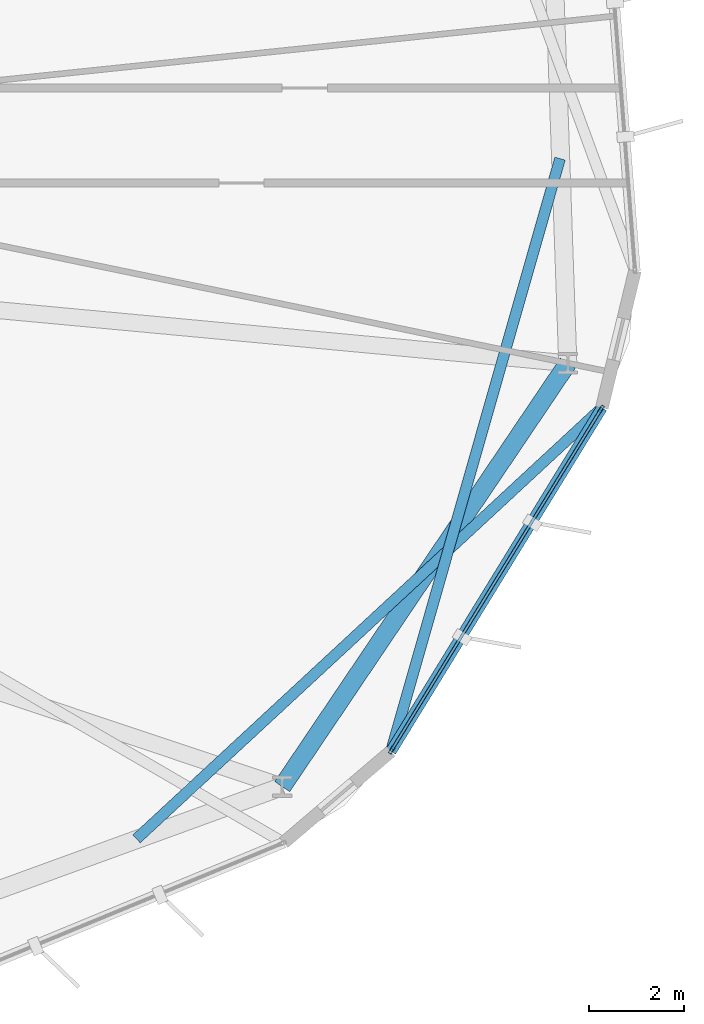
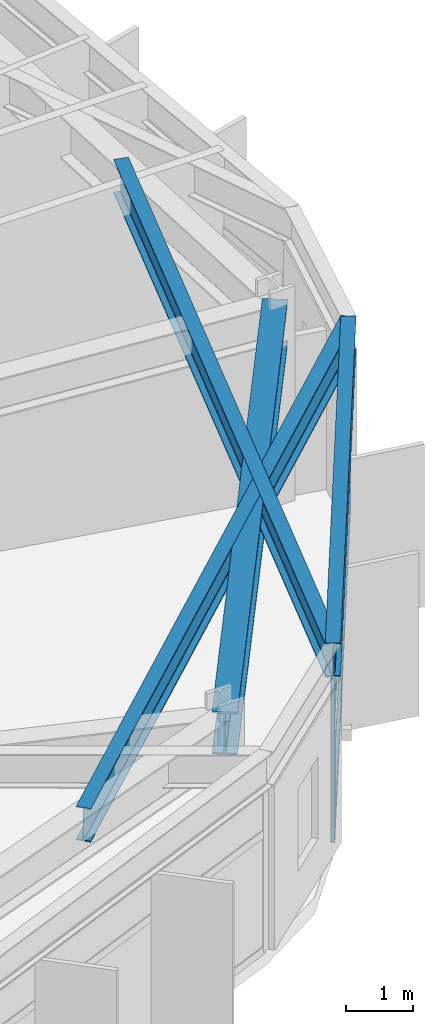
# One storey, part 9 of 21: 5 members, 4 beams, 1 element without a shape of its own.
"""IFC4 building model written with IfcOpenShell, lengths in metres."""

from ifc_helpers import new_model, si_unit, direction, frame, origin, origin_2d, place, context, subcontext, project, spatial, hollow_rectangle, i_section, extrude, material, layer, layer_set, material_profile, profile_set, type_object, element, aggregate, save


model = new_model("IFC4")

# Units and contexts
model_context = context("Model", 3, precision=1e-05, world=origin(), true_north=direction((0.0, 1.0)))
body_context = subcontext(model_context, "Body", "Model", "MODEL_VIEW")
ifc_project = project(units=[si_unit("LENGTHUNIT", "METRE"), si_unit("AREAUNIT", "SQUARE_METRE"), si_unit("VOLUMEUNIT", "CUBIC_METRE"), si_unit("PLANEANGLEUNIT", "RADIAN"), si_unit("MASSUNIT", "GRAM", prefix="KILO")], contexts=[model_context])

# Site, building, storey
site_placement = place(None, origin())
site = spatial("IfcSite", under=ifc_project, at=site_placement, CompositionType="ELEMENT")
building_placement = place(site_placement, origin())
building = spatial("IfcBuilding", under=site, at=building_placement, Name="Soratama Intermodal Tower", CompositionType="ELEMENT")
storey_placement = place(building_placement, frame((0.0, 0.0, 114.699951171875)))
storey = spatial("IfcBuildingStorey", under=building, at=storey_placement, Name="L27", CompositionType="ELEMENT", Elevation=114.699951171875)

# Beams
ifc_material_1 = material(Name="Structural steel ASTM A992 Grade 50", Category="steel")
ifc_material_profile_1 = material_profile(ifc_material_1, i_section(OverallWidth=0.382080078125, OverallDepth=0.779052734375, WebThickness=0.01806640625, FlangeThickness=0.030029296875, FilletRadius=0.01806640625, at=origin_2d()), Name="W30X191")
ifc_profile_set_1 = profile_set([ifc_material_profile_1], Name="Structural steel ASTM A992 Grade 50")
beam_type_1 = type_object("IfcBeamType", Name="BM-RING-W30X191", PredefinedType="BEAM", material=ifc_profile_set_1)
beam_1_placement = place(storey_placement, frame((55.7119140625, 11.2890625, 3.21044921875), z_axis=(0.559249807749, 0.828999187293, 0.0), x_axis=(-0.828999187293, 0.559249807749, 0.0)))
element("IfcBeam", 1, at=beam_1_placement, inside=storey, type_object=beam_type_1, Name="BM-L27-RING-09", PredefinedType="BEAM", context=body_context, shape_type="SweptSolid", body=[
    extrude(i_section(OverallWidth=0.382080078125, OverallDepth=0.779052734375, WebThickness=0.01806640625, FlangeThickness=0.030029296875, FilletRadius=0.01806640625, at=origin_2d()), origin(), (0.0, 0.0, 1.0), 10.75390625),
])
ifc_material_2 = material(Name="Structural steel ASTM A992 Grade 50", Category="steel")
ifc_material_profile_2 = material_profile(ifc_material_2, i_section(OverallWidth=0.22900390625, OverallDepth=0.612060546875, WebThickness=0.011962890625, FlangeThickness=0.01953125, FilletRadius=0.012939453125, at=origin_2d()), Name="W24X84")
ifc_profile_set_2 = profile_set([ifc_material_profile_2], Name="Structural steel ASTM A992 Grade 50")
beam_type_2 = type_object("IfcBeamType", Name="BM-SPN-W24X84", PredefinedType="SPANDREL", material=ifc_profile_set_2)
beam_2_placement = place(storey_placement, frame((58.001953125, 12.031982421875, 3.2939453125), z_axis=(0.523389774417, 0.852093389269, 0.0), x_axis=(-0.852093389269, 0.523389774417, 0.0)))
element("IfcBeam", 2, at=beam_2_placement, inside=storey, type_object=beam_type_2, Name="BS-L27-F09", PredefinedType="SPANDREL", context=body_context, shape_type="SweptSolid", body=[
    extrude(i_section(OverallWidth=0.22900390625, OverallDepth=0.612060546875, WebThickness=0.011962890625, FlangeThickness=0.01953125, FilletRadius=0.012939453125, at=origin_2d()), origin(), (0.0, 0.0, 1.0), 8.490966796875),
])
ifc_material_3 = material(Name="Structural steel ASTM A992 Grade 50", Category="steel")
ifc_material_profile_3 = material_profile(ifc_material_3, i_section(OverallWidth=0.22900390625, OverallDepth=0.612060546875, WebThickness=0.011962890625, FlangeThickness=0.01953125, FilletRadius=0.012939453125, at=origin_2d()), Name="W24X84")
ifc_profile_set_3 = profile_set([ifc_material_profile_3], Name="Structural steel ASTM A992 Grade 50")
beam_type_3 = type_object("IfcBeamType", Name="BM-TIE-W24X84", PredefinedType="BEAM", material=ifc_profile_set_3)
beam_3_placement = place(storey_placement, frame((61.56298828125, 24.512939453125, 3.2939453125), z_axis=(-0.274368325895, -0.961624678212, 0.0), x_axis=(0.961624678212, -0.274368325895, 0.0)))
element("IfcBeam", 3, at=beam_3_placement, inside=storey, type_object=beam_type_3, Name="BM-L27-TIE0-09", PredefinedType="BEAM", context=body_context, shape_type="SweptSolid", body=[
    extrude(i_section(OverallWidth=0.22900390625, OverallDepth=0.612060546875, WebThickness=0.011962890625, FlangeThickness=0.01953125, FilletRadius=0.012939453125, at=origin_2d()), origin(), (0.0, 0.0, 1.0), 12.97900390625),
])
beam_4_placement = place(storey_placement, frame((52.64501953125, 10.18798828125, 3.2939453125), z_axis=(0.733608485008, 0.679572358711, 0.0), x_axis=(-0.679572358711, 0.733608485008, 0.0)))
element("IfcBeam", 4, at=beam_4_placement, inside=storey, type_object=beam_type_3, Name="BM-L27-TIE1-09", PredefinedType="BEAM", context=body_context, shape_type="SweptSolid", body=[
    extrude(i_section(OverallWidth=0.22900390625, OverallDepth=0.612060546875, WebThickness=0.011962890625, FlangeThickness=0.01953125, FilletRadius=0.012939453125, at=origin_2d()), origin(), (0.0, 0.0, 1.0), 13.360107421875),
])

# Curtain wall, members
ifc_material_4 = material(Name="Double-glazed aluminium curtain wall", Category="aluminium")
ifc_layer = layer(ifc_material_4, 0.159912109375)
ifc_layer_set = layer_set([ifc_layer], Name="Double-glazed aluminium curtain wall")
curtain_wall_type = type_object("IfcCurtainWallType", Name="CW-SYS-3", PredefinedType="NOTDEFINED", material=ifc_layer_set)
curtain_wall_placement = place(storey_placement, origin())
curtain_wall = element("IfcCurtainWall", 5, at=curtain_wall_placement, inside=storey, type_object=curtain_wall_type, Name="L27 Faceted Curtain Wall F09", PredefinedType="NOTDEFINED")
ifc_material_5 = material(Name="Anodised aluminium AA 6063-T6", Category="aluminium")
ifc_material_profile_4 = material_profile(ifc_material_5, hollow_rectangle(XDim=0.070068359375, YDim=0.159912109375, WallThickness=0.0048828125, InnerFilletRadius=0.0048828125, OuterFilletRadius=0.010009765625, at=origin_2d()), Name="CWM160X70X5")
ifc_profile_set_4 = profile_set([ifc_material_profile_4], Name="Anodised aluminium AA 6063-T6")
member_type_1 = type_object("IfcMemberType", Name="MT-CWM-3", PredefinedType="MULLION", material=ifc_profile_set_4)
member_1_placement = place(storey_placement, frame((58.01708984375, 12.05712890625, 0.0), z_axis=(0.0, 0.0, 1.0), x_axis=(-0.852089492692, 0.523396118102, 0.0)))
member_1 = element("IfcMember", 6, at=member_1_placement, type_object=member_type_1, Name="CW-3 mullion 1", PredefinedType="MULLION", context=body_context, shape_type="SweptSolid", body=[
    extrude(hollow_rectangle(XDim=0.070068359375, YDim=0.159912109375, WallThickness=0.0048828125, InnerFilletRadius=0.0048828125, OuterFilletRadius=0.010009765625, at=origin_2d()), origin(), (0.0, 0.0, 1.0), 2.97900390625),
])
member_2_placement = place(storey_placement, frame((62.429931640625, 19.240966796875, 0.0), z_axis=(0.0, 0.0, 1.0), x_axis=(-0.852089492692, 0.523396118102, 0.0)))
member_2 = element("IfcMember", 7, at=member_2_placement, type_object=member_type_1, Name="CW-3 mullion 2", PredefinedType="MULLION", context=body_context, shape_type="SweptSolid", body=[
    extrude(hollow_rectangle(XDim=0.070068359375, YDim=0.159912109375, WallThickness=0.0048828125, InnerFilletRadius=0.0048828125, OuterFilletRadius=0.010009765625, at=origin_2d()), origin(), (0.0, 0.0, 1.0), 2.97900390625),
])
ifc_material_6 = material(Name="Anodised aluminium AA 6063-T6", Category="aluminium")
ifc_material_profile_5 = material_profile(ifc_material_6, hollow_rectangle(XDim=0.06494140625, YDim=0.14990234375, WallThickness=0.0048828125, InnerFilletRadius=0.0048828125, OuterFilletRadius=0.010009765625, at=origin_2d()), Name="CWT150X65X5")
ifc_profile_set_5 = profile_set([ifc_material_profile_5], Name="Anodised aluminium AA 6063-T6")
member_type_2 = type_object("IfcMemberType", Name="TT-CWT-1", PredefinedType="USERDEFINED", material=ifc_profile_set_5)
member_3_placement = place(storey_placement, frame((58.032958984375, 12.082763671875, 0.030029296875), z_axis=(0.523397535853, 0.852088621836, 0.0), x_axis=(-0.852088621836, 0.523397535853, 0.0)))
member_3 = element("IfcMember", 8, at=member_3_placement, type_object=member_type_2, Name="CW-3 transom 1.1", ObjectType="TRANSOM", PredefinedType="USERDEFINED", context=body_context, shape_type="SweptSolid", body=[
    extrude(hollow_rectangle(XDim=0.06494140625, YDim=0.14990234375, WallThickness=0.0048828125, InnerFilletRadius=0.0048828125, OuterFilletRadius=0.010009765625, at=origin_2d()), origin(), (0.0, 0.0, 1.0), 8.37109375),
])
member_4_placement = place(storey_placement, frame((58.032958984375, 12.082763671875, 2.150146484375), z_axis=(0.523397535853, 0.852088621836, 0.0), x_axis=(-0.852088621836, 0.523397535853, 0.0)))
member_4 = element("IfcMember", 9, at=member_4_placement, type_object=member_type_2, Name="CW-3 transom 1.2", ObjectType="TRANSOM", PredefinedType="USERDEFINED", context=body_context, shape_type="SweptSolid", body=[
    extrude(hollow_rectangle(XDim=0.06494140625, YDim=0.14990234375, WallThickness=0.0048828125, InnerFilletRadius=0.0048828125, OuterFilletRadius=0.010009765625, at=origin_2d()), origin(), (0.0, 0.0, 1.0), 8.37109375),
])
member_5_placement = place(storey_placement, frame((58.032958984375, 12.082763671875, 2.948974609375), z_axis=(0.523397535853, 0.852088621836, 0.0), x_axis=(-0.852088621836, 0.523397535853, 0.0)))
member_5 = element("IfcMember", 10, at=member_5_placement, type_object=member_type_2, Name="CW-3 transom 1.3", ObjectType="TRANSOM", PredefinedType="USERDEFINED", context=body_context, shape_type="SweptSolid", body=[
    extrude(hollow_rectangle(XDim=0.06494140625, YDim=0.14990234375, WallThickness=0.0048828125, InnerFilletRadius=0.0048828125, OuterFilletRadius=0.010009765625, at=origin_2d()), origin(), (0.0, 0.0, 1.0), 8.37109375),
])
aggregate(curtain_wall, [member_1, member_2, member_3, member_4, member_5])

save(model, "model.ifc")
